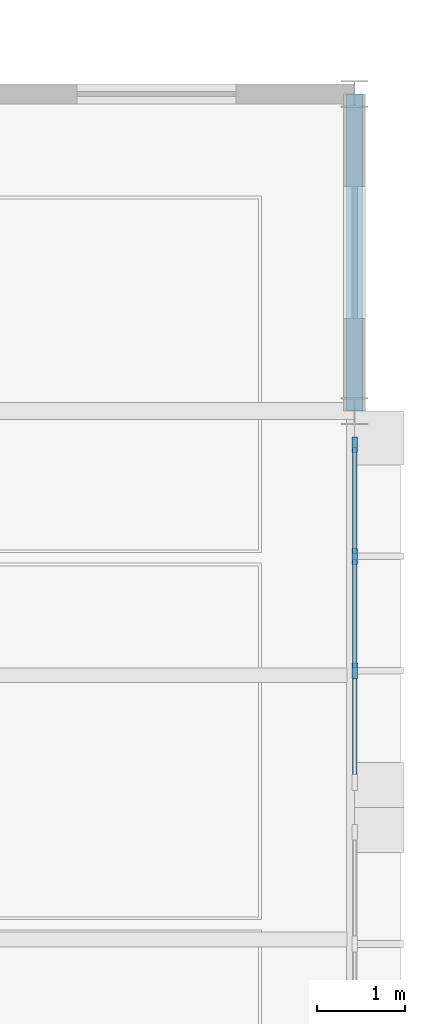
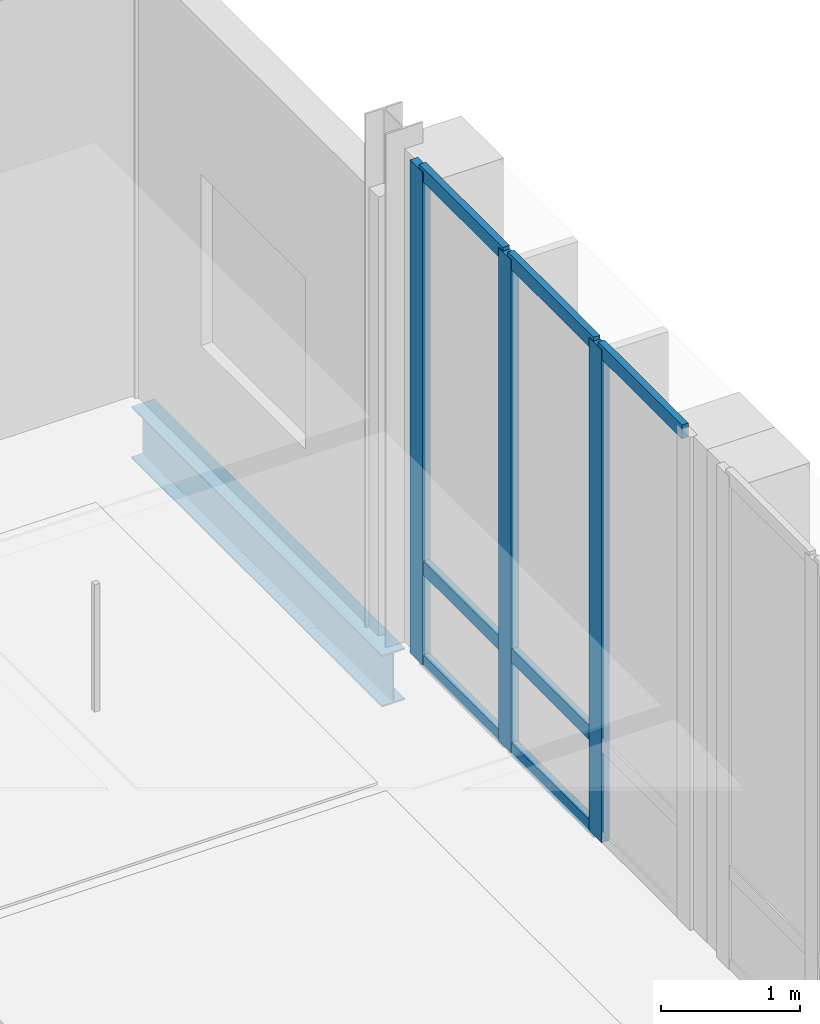
# One storey, part 54 of 130: 10 members, 1 beam, 1 element without a shape of its own.
"""IFC4 building model written with IfcOpenShell, lengths in metres."""

from ifc_helpers import new_model, si_unit, direction, frame, origin, origin_2d, place, context, subcontext, project, spatial, rectangle, i_section, extrude, material, material_profile, profile_set, type_object, element, aggregate, save


model = new_model("IFC4")

# Units and contexts
model_context = context("Model", 3, precision=1e-05, world=origin(), true_north=direction((0.0, 1.0)))
body_context = subcontext(model_context, "Body", "Model", "MODEL_VIEW")
ifc_project = project(units=[si_unit("LENGTHUNIT", "METRE"), si_unit("AREAUNIT", "SQUARE_METRE"), si_unit("VOLUMEUNIT", "CUBIC_METRE"), si_unit("PLANEANGLEUNIT", "RADIAN"), si_unit("MASSUNIT", "GRAM", prefix="KILO"), si_unit("THERMODYNAMICTEMPERATUREUNIT", "KELVIN"), si_unit("POWERUNIT", "WATT")], contexts=[model_context])

# Site, building, storey
site_placement = place(None, origin())
site = spatial("IfcSite", under=ifc_project, at=site_placement, CompositionType="ELEMENT")
building_placement = place(site_placement, origin())
building = spatial("IfcBuilding", under=site, at=building_placement, Name="Tallowbark Science Centre", CompositionType="ELEMENT")
storey_placement = place(building_placement, frame((0.0, 0.0, 5.39990234375)))
storey = spatial("IfcBuildingStorey", under=building, at=storey_placement, Name="L01", CompositionType="ELEMENT", Elevation=5.39990234375)

# Curtain wall, members
ifc_material_1 = material(Name="Unitised Thermally Broken Aluminium and Low-E Double Glazing", Category="aluminium")
curtain_wall_type = type_object("IfcCurtainWallType", Name="CW-SYS-FACADE", PredefinedType="NOTDEFINED", material=ifc_material_1)
curtain_wall_placement = place(storey_placement, origin())
curtain_wall = element("IfcCurtainWall", 1, at=curtain_wall_placement, inside=storey, type_object=curtain_wall_type, Name="Unitised Curtain Wall OBS-E-99B CW-L01-137", PredefinedType="NOTDEFINED")
ifc_material_2 = material(Name="Anodised Architectural Aluminium Alloy 6063-T6", Category="aluminium")
ifc_material_profile_1 = material_profile(ifc_material_2, rectangle(XDim=0.06494140625, YDim=0.179931640625, at=origin_2d()), Name="ALU65x180")
ifc_profile_set_1 = profile_set([ifc_material_profile_1], Name="Anodised Architectural Aluminium Alloy 6063-T6")
member_type_1 = type_object("IfcMemberType", Name="CWM-MUL-220", PredefinedType="MULLION", material=ifc_profile_set_1)
member_1_placement = place(storey_placement, frame((162.0, 105.050048828125, 0.0), z_axis=(0.0, 0.0, 1.0), x_axis=(-1.0, 0.0, 0.0)))
member_1 = element("IfcMember", 2, at=member_1_placement, type_object=member_type_1, Name="CW-01 mullion 2", PredefinedType="MULLION", context=body_context, shape_type="SweptSolid", body=[
    extrude(rectangle(XDim=0.06494140625, YDim=0.179931640625, at=origin_2d()), origin(), (0.0, 0.0, 1.0), 4.320068359375),
])
member_2_placement = place(storey_placement, frame((162.0, 106.35009765625, 0.0), z_axis=(0.0, 0.0, 1.0), x_axis=(-1.0, 0.0, 0.0)))
member_2 = element("IfcMember", 3, at=member_2_placement, type_object=member_type_1, Name="CW-01 mullion 3", PredefinedType="MULLION", context=body_context, shape_type="SweptSolid", body=[
    extrude(rectangle(XDim=0.06494140625, YDim=0.179931640625, at=origin_2d()), origin(), (0.0, 0.0, 1.0), 4.320068359375),
])
member_3_placement = place(storey_placement, frame((162.0, 107.617431640625, 0.0), z_axis=(0.0, 0.0, 1.0), x_axis=(-1.0, 0.0, 0.0)))
member_3 = element("IfcMember", 4, at=member_3_placement, type_object=member_type_1, Name="CW-01 mullion 4", PredefinedType="MULLION", context=body_context, shape_type="SweptSolid", body=[
    extrude(rectangle(XDim=0.06494140625, YDim=0.179931640625, at=origin_2d()), origin(), (0.0, 0.0, 1.0), 4.320068359375),
])
ifc_material_profile_2 = material_profile(ifc_material_2, rectangle(XDim=0.054931640625, YDim=0.1201171875, at=origin_2d()), Name="ALU55x120")
ifc_profile_set_2 = profile_set([ifc_material_profile_2], Name="Anodised Architectural Aluminium Alloy 6063-T6")
member_type_2 = type_object("IfcMemberType", Name="CWM-TRN-150", PredefinedType="USERDEFINED", material=ifc_profile_set_2)
member_4_placement = place(storey_placement, frame((162.0, 103.81494140625, 4.29248046875), z_axis=(0.0, 1.0, 0.0), x_axis=(-1.0, 0.0, 0.0)))
member_4 = element("IfcMember", 5, at=member_4_placement, type_object=member_type_2, Name="CW-01 transom 1.3", ObjectType="TRANSOM", PredefinedType="USERDEFINED", context=body_context, shape_type="SweptSolid", body=[
    extrude(rectangle(XDim=0.054931640625, YDim=0.1201171875, at=origin_2d()), origin(), (0.0, 0.0, 1.0), 1.20263671875),
])
member_5_placement = place(storey_placement, frame((162.0, 105.08251953125, 0.027587890625), z_axis=(0.0, 1.0, 0.0), x_axis=(-1.0, 0.0, 0.0)))
member_5 = element("IfcMember", 6, at=member_5_placement, type_object=member_type_2, Name="CW-01 transom 2.1", ObjectType="TRANSOM", PredefinedType="USERDEFINED", context=body_context, shape_type="SweptSolid", body=[
    extrude(rectangle(XDim=0.054931640625, YDim=0.1201171875, at=origin_2d()), origin(), (0.0, 0.0, 1.0), 1.23486328125),
])
member_6_placement = place(storey_placement, frame((162.0, 105.08251953125, 0.85009765625), z_axis=(0.0, 1.0, 0.0), x_axis=(-1.0, 0.0, 0.0)))
member_6 = element("IfcMember", 7, at=member_6_placement, type_object=member_type_2, Name="CW-01 transom 2.2", ObjectType="TRANSOM", PredefinedType="USERDEFINED", context=body_context, shape_type="SweptSolid", body=[
    extrude(rectangle(XDim=0.054931640625, YDim=0.1201171875, at=origin_2d()), origin(), (0.0, 0.0, 1.0), 1.23486328125),
])
member_7_placement = place(storey_placement, frame((162.0, 105.08251953125, 4.29248046875), z_axis=(0.0, 1.0, 0.0), x_axis=(-1.0, 0.0, 0.0)))
member_7 = element("IfcMember", 8, at=member_7_placement, type_object=member_type_2, Name="CW-01 transom 2.3", ObjectType="TRANSOM", PredefinedType="USERDEFINED", context=body_context, shape_type="SweptSolid", body=[
    extrude(rectangle(XDim=0.054931640625, YDim=0.1201171875, at=origin_2d()), origin(), (0.0, 0.0, 1.0), 1.23486328125),
])
member_8_placement = place(storey_placement, frame((162.0, 106.382568359375, 0.027587890625), z_axis=(0.0, 1.0, 0.0), x_axis=(-1.0, 0.0, 0.0)))
member_8 = element("IfcMember", 9, at=member_8_placement, type_object=member_type_2, Name="CW-01 transom 3.1", ObjectType="TRANSOM", PredefinedType="USERDEFINED", context=body_context, shape_type="SweptSolid", body=[
    extrude(rectangle(XDim=0.054931640625, YDim=0.1201171875, at=origin_2d()), origin(), (0.0, 0.0, 1.0), 1.202392578125),
])
member_9_placement = place(storey_placement, frame((162.0, 106.382568359375, 0.85009765625), z_axis=(0.0, 1.0, 0.0), x_axis=(-1.0, 0.0, 0.0)))
member_9 = element("IfcMember", 10, at=member_9_placement, type_object=member_type_2, Name="CW-01 transom 3.2", ObjectType="TRANSOM", PredefinedType="USERDEFINED", context=body_context, shape_type="SweptSolid", body=[
    extrude(rectangle(XDim=0.054931640625, YDim=0.1201171875, at=origin_2d()), origin(), (0.0, 0.0, 1.0), 1.202392578125),
])
member_10_placement = place(storey_placement, frame((162.0, 106.382568359375, 4.29248046875), z_axis=(0.0, 1.0, 0.0), x_axis=(-1.0, 0.0, 0.0)))
member_10 = element("IfcMember", 11, at=member_10_placement, type_object=member_type_2, Name="CW-01 transom 3.3", ObjectType="TRANSOM", PredefinedType="USERDEFINED", context=body_context, shape_type="SweptSolid", body=[
    extrude(rectangle(XDim=0.054931640625, YDim=0.1201171875, at=origin_2d()), origin(), (0.0, 0.0, 1.0), 1.202392578125),
])
aggregate(curtain_wall, [member_1, member_2, member_3, member_4, member_5, member_6, member_7, member_8, member_9, member_10])

# Beam
ifc_material_3 = material(Name="Structural Steel Grade 300PLUS (300 MPa)", Category="steel")
ifc_material_profile_3 = material_profile(ifc_material_3, i_section(OverallWidth=0.18994140625, OverallDepth=0.453857421875, WebThickness=0.008544921875, FlangeThickness=0.0126953125, FilletRadius=0.011474609375, at=origin_2d()), Name="460UB67.1")
ifc_profile_set_3 = profile_set([ifc_material_profile_3], Name="Structural Steel Grade 300PLUS (300 MPa)")
beam_type = type_object("IfcBeamType", Name="SPN-UB460", PredefinedType="SPANDREL", material=ifc_profile_set_3)
beam_placement = place(storey_placement, frame((162.0, 108.0, -0.40673828125), z_axis=(0.0, 1.0, 0.0), x_axis=(-1.0, 0.0, 0.0)))
element("IfcBeam", 12, at=beam_placement, inside=storey, type_object=beam_type, Name="Primary Girder GRDY-L01-1620-1080-1116", PredefinedType="SPANDREL", context=body_context, shape_type="SweptSolid", body=[
    extrude(i_section(OverallWidth=0.18994140625, OverallDepth=0.453857421875, WebThickness=0.008544921875, FlangeThickness=0.0126953125, FilletRadius=0.011474609375, at=origin_2d()), origin(), (0.0, 0.0, 1.0), 3.60009765625),
])

save(model, "model.ifc")
